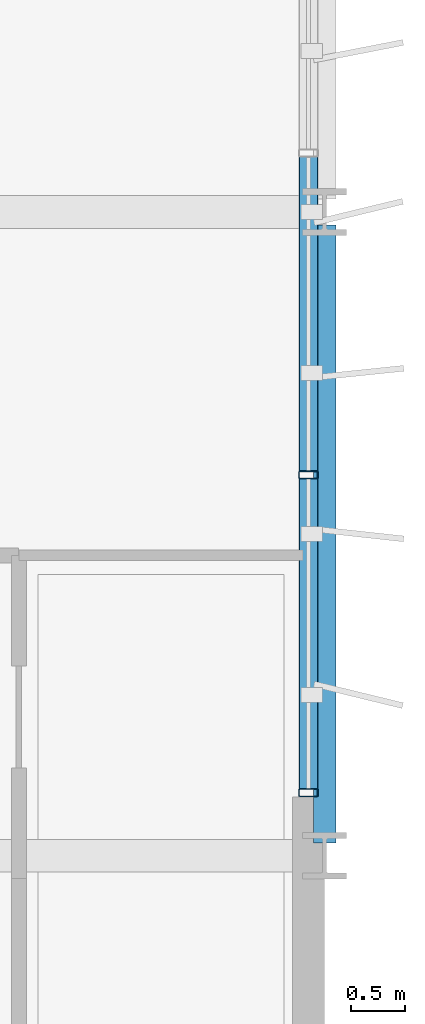
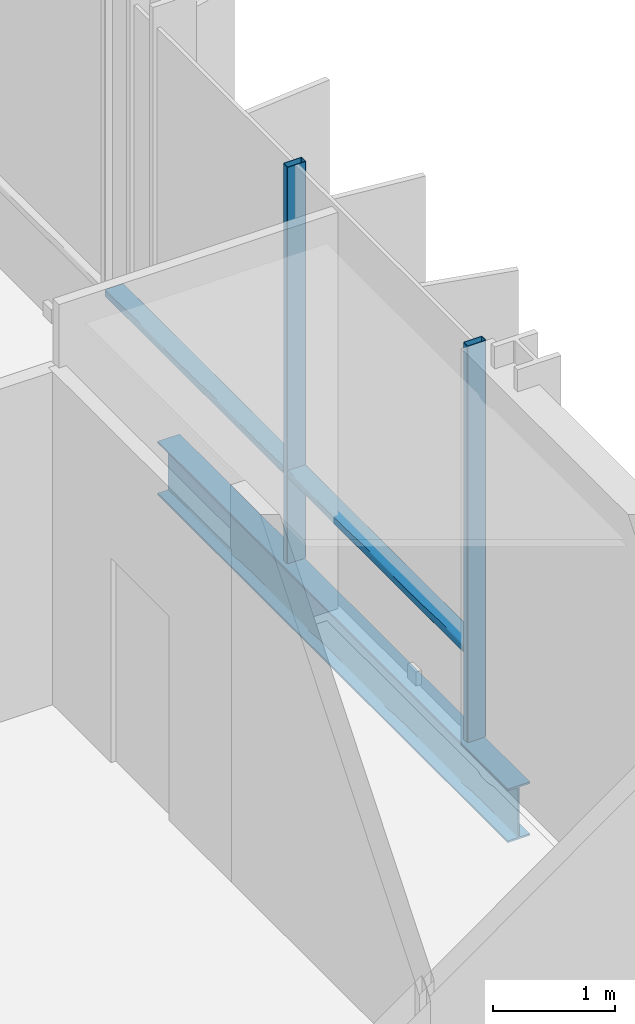
# One storey, part 15 of 32: 4 members, 1 beam, 1 element without a shape of its own.
"""IFC4 building model written with IfcOpenShell, lengths in metres."""

from ifc_helpers import new_model, si_unit, direction, frame, origin, origin_2d, place, context, subcontext, project, spatial, hollow_rectangle, i_section, extrude, material, layer, layer_set, material_profile, profile_set, type_object, element, aggregate, save


model = new_model("IFC4")

# Units and contexts
model_context = context("Model", 3, precision=1e-05, world=origin(), true_north=direction((0.0, 1.0)))
body_context = subcontext(model_context, "Body", "Model", "MODEL_VIEW")
ifc_project = project(units=[si_unit("LENGTHUNIT", "METRE"), si_unit("AREAUNIT", "SQUARE_METRE"), si_unit("VOLUMEUNIT", "CUBIC_METRE"), si_unit("PLANEANGLEUNIT", "RADIAN"), si_unit("MASSUNIT", "GRAM", prefix="KILO")], contexts=[model_context])

# Site, building, storey
site_placement = place(None, origin())
site = spatial("IfcSite", under=ifc_project, at=site_placement, CompositionType="ELEMENT")
building_placement = place(site_placement, origin())
building = spatial("IfcBuilding", under=site, at=building_placement, Name="Brevholm Reach", CompositionType="ELEMENT")
storey_placement = place(building_placement, frame((0.0, 0.0, 134.5)))
storey = spatial("IfcBuildingStorey", under=building, at=storey_placement, Name="L40", CompositionType="ELEMENT", Elevation=134.5)

# Beam
ifc_material_1 = material(Name="Structural Steel S355J2", Category="steel")
ifc_material_profile_1 = material_profile(ifc_material_1, i_section(OverallWidth=0.210693359375, OverallDepth=0.53955078125, WebThickness=0.01171875, FlangeThickness=0.018798828125, FilletRadius=0.0126953125, at=origin_2d()), Name="UKB 533x210x109")
ifc_profile_set_1 = profile_set([ifc_material_profile_1], Name="Structural Steel S355J2")
beam_type = type_object("IfcBeamType", Name="BM-SP539", PredefinedType="SPANDREL", material=ifc_profile_set_1)
beam_placement = place(storey_placement, frame((60.0, 10.1201171875, -0.519775390625), z_axis=(0.0, 1.0, 0.0), x_axis=(-1.0, 0.0, 0.0)))
element("IfcBeam", 1, at=beam_placement, inside=storey, type_object=beam_type, Name="L40 SP-01B Framing Beam", PredefinedType="SPANDREL", context=body_context, shape_type="SweptSolid", body=[
    extrude(i_section(OverallWidth=0.210693359375, OverallDepth=0.53955078125, WebThickness=0.01171875, FlangeThickness=0.018798828125, FilletRadius=0.0126953125, at=origin_2d()), origin(), (0.0, 0.0, 1.0), 5.759765625),
])

# Curtain wall, members
ifc_material_2 = material(Name="Dark Anodised Aluminium 6063-T6 and Solar-Control Glass", Category="aluminium")
ifc_layer = layer(ifc_material_2, 0.179931640625)
ifc_layer_set = layer_set([ifc_layer], Name="Dark Anodised Aluminium 6063-T6 and Solar-Control Glass")
curtain_wall_type = type_object("IfcCurtainWallType", Name="CW-05", PredefinedType="NOTDEFINED", material=ifc_layer_set)
curtain_wall_placement = place(storey_placement, origin())
curtain_wall = element("IfcCurtainWall", 2, at=curtain_wall_placement, inside=storey, type_object=curtain_wall_type, Name="L40 Curtain Wall CW-05", PredefinedType="NOTDEFINED")
ifc_material_3 = material(Name="Dark Anodised Aluminium 6063-T6", Category="aluminium")
ifc_material_profile_2 = material_profile(ifc_material_3, hollow_rectangle(XDim=0.074951171875, YDim=0.179931640625, WallThickness=0.006103515625, InnerFilletRadius=0.006103515625, OuterFilletRadius=0.011962890625, at=origin_2d()), Name="RHS 180x75x6")
ifc_profile_set_2 = profile_set([ifc_material_profile_2], Name="Dark Anodised Aluminium 6063-T6")
member_type_1 = type_object("IfcMemberType", Name="CWM-180", PredefinedType="MULLION", material=ifc_profile_set_2)
member_1_placement = place(storey_placement, frame((59.85009765625, 10.58740234375, 0.0), z_axis=(0.0, 0.0, 1.0), x_axis=(0.0, 1.0, 0.0)))
member_1 = element("IfcMember", 3, at=member_1_placement, type_object=member_type_1, Name="CM-180 Mullion 1", PredefinedType="MULLION", context=body_context, shape_type="SweptSolid", body=[
    extrude(hollow_rectangle(XDim=0.074951171875, YDim=0.179931640625, WallThickness=0.006103515625, InnerFilletRadius=0.006103515625, OuterFilletRadius=0.011962890625, at=origin_2d()), origin(), (0.0, 0.0, 1.0), 3.97998046875),
])
member_2_placement = place(storey_placement, frame((59.85009765625, 13.550048828125, 0.0), z_axis=(0.0, 0.0, 1.0), x_axis=(0.0, 1.0, 0.0)))
member_2 = element("IfcMember", 4, at=member_2_placement, type_object=member_type_1, Name="CM-180 Mullion 2", PredefinedType="MULLION", context=body_context, shape_type="SweptSolid", body=[
    extrude(hollow_rectangle(XDim=0.074951171875, YDim=0.179931640625, WallThickness=0.006103515625, InnerFilletRadius=0.006103515625, OuterFilletRadius=0.011962890625, at=origin_2d()), origin(), (0.0, 0.0, 1.0), 3.97998046875),
])
ifc_material_4 = material(Name="Dark Anodised Aluminium 6063-T6", Category="aluminium")
ifc_material_profile_3 = material_profile(ifc_material_4, hollow_rectangle(XDim=0.074951171875, YDim=0.179931640625, WallThickness=0.006103515625, InnerFilletRadius=0.006103515625, OuterFilletRadius=0.011962890625, at=origin_2d()), Name="RHS 180x75x6")
ifc_profile_set_3 = profile_set([ifc_material_profile_3], Name="Dark Anodised Aluminium 6063-T6")
member_type_2 = type_object("IfcMemberType", Name="CWT-180", PredefinedType="NOTDEFINED", material=ifc_profile_set_3)
member_3_placement = place(storey_placement, frame((59.85009765625, 10.625, 0.89990234375), z_axis=(0.0, 1.0, 0.0), x_axis=(0.0, 0.0, 1.0)))
member_3 = element("IfcMember", 5, at=member_3_placement, type_object=member_type_2, Name="CT-180 Transom 1.1", ObjectType="TRANSOM", PredefinedType="USERDEFINED", context=body_context, shape_type="SweptSolid", body=[
    extrude(hollow_rectangle(XDim=0.074951171875, YDim=0.179931640625, WallThickness=0.006103515625, InnerFilletRadius=0.006103515625, OuterFilletRadius=0.011962890625, at=origin_2d()), origin(), (0.0, 0.0, 1.0), 2.887451171875),
])
member_4_placement = place(storey_placement, frame((59.85009765625, 13.58740234375, 0.89990234375), z_axis=(0.0, 1.0, 0.0), x_axis=(0.0, 0.0, 1.0)))
member_4 = element("IfcMember", 6, at=member_4_placement, type_object=member_type_2, Name="CT-180 Transom 2.1", ObjectType="TRANSOM", PredefinedType="USERDEFINED", context=body_context, shape_type="SweptSolid", body=[
    extrude(hollow_rectangle(XDim=0.074951171875, YDim=0.179931640625, WallThickness=0.006103515625, InnerFilletRadius=0.006103515625, OuterFilletRadius=0.011962890625, at=origin_2d()), origin(), (0.0, 0.0, 1.0), 2.925048828125),
])
aggregate(curtain_wall, [member_1, member_2, member_3, member_4])

save(model, "model.ifc")
